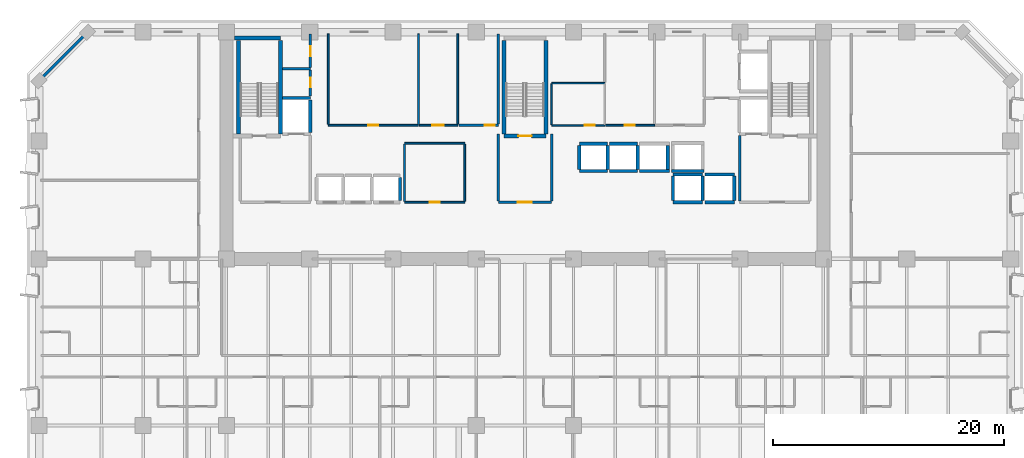
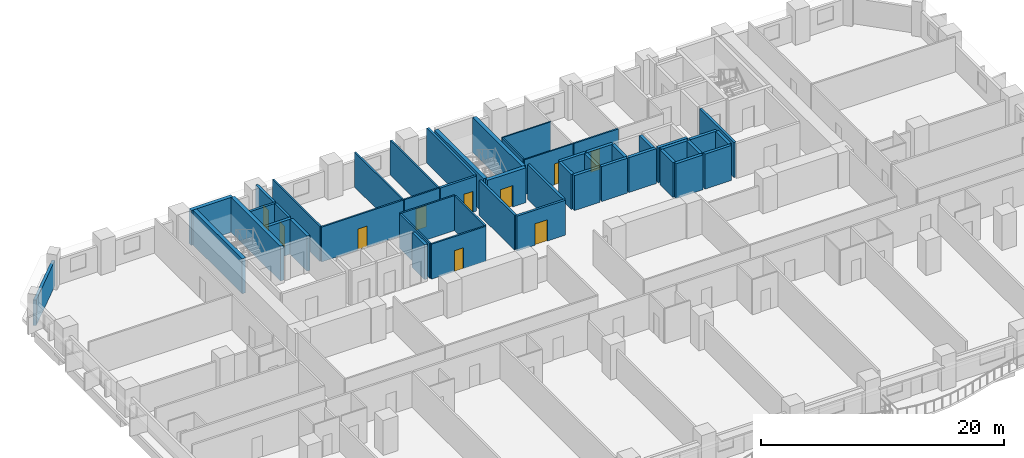
# One storey, part 7 of 15: 49 walls, 10 doors, 10 openings.
"""IFC4 building model written with IfcOpenShell, lengths in metres."""

from ifc_helpers import new_model, si_unit, direction, frame, frame_2d, origin, place, context, subcontext, project, spatial, rectangle, extrude, material, layer, layer_set, type_object, element, fill, save


model = new_model("IFC4")

# Units and contexts
model_context = context("Model", 3, precision=1e-05, world=origin(), true_north=direction((0.0, 1.0)))
body_context = subcontext(model_context, "Body", "Model", "MODEL_VIEW")
ifc_project = project(units=[si_unit("LENGTHUNIT", "METRE"), si_unit("AREAUNIT", "SQUARE_METRE"), si_unit("VOLUMEUNIT", "CUBIC_METRE"), si_unit("PLANEANGLEUNIT", "RADIAN"), si_unit("MASSUNIT", "GRAM", prefix="KILO")], contexts=[model_context])

# Site, building, storey
site_placement = place(None, origin())
site = spatial("IfcSite", under=ifc_project, at=site_placement, CompositionType="ELEMENT")
building_placement = place(site_placement, origin())
building = spatial("IfcBuilding", under=site, at=building_placement, Name="Kaelvorn Grand Hotel", CompositionType="ELEMENT")
storey_placement = place(building_placement, frame((0.0, 0.0, 72.64990234375)))
storey = spatial("IfcBuildingStorey", under=building, at=storey_placement, Name="L16", CompositionType="ELEMENT", Elevation=72.64990234375)

# Wall
ifc_material_1 = material(Name="Concrete C40/50", Category="concrete")
ifc_layer_1 = layer(ifc_material_1, 0.260009765625)
ifc_layer_set_1 = layer_set([ifc_layer_1], Name="Concrete C40/50")
wall_type_1 = type_object("IfcWallType", Name="WL-EXT-260-C40", PredefinedType="SOLIDWALL", material=ifc_layer_set_1)
wall_1_placement = place(storey_placement, frame((4.199951171875, 49.0, 0.0), z_axis=(0.0, 0.0, 1.0), x_axis=(-0.707106781187, -0.707106781187, 0.0)))
element("IfcWall", 1, at=wall_1_placement, inside=storey, type_object=wall_type_1, Name="L16 Exterior Architectural Concrete Wall 06", PredefinedType="SOLIDWALL", context=body_context, shape_type="SweptSolid", body=[
    extrude(rectangle(XDim=5.939697265625, YDim=0.260009765625, at=frame_2d((2.9697265625, 0.0))), origin(), (0.0, 0.0, 1.0), 2.56005859375),
])

# Wall, opening, door
ifc_material_2 = material(Name="Moisture-Resistant Tile & Stud Board")
ifc_layer_2 = layer(ifc_material_2, 0.125)
ifc_layer_set_2 = layer_set([ifc_layer_2], Name="Moisture-Resistant Tile & Stud Board")
wall_type_2 = type_object("IfcWallType", Name="WL-PART-125-WET", PredefinedType="PARTITIONING", material=ifc_layer_set_2)
wall_2_placement = place(storey_placement, frame((44.300048828125, 40.949951171875, 0.0), z_axis=(0.0, 0.0, 1.0), x_axis=(1.0, 0.0, 0.0)))
wall_2 = element("IfcWall", 2, at=wall_2_placement, inside=storey, type_object=wall_type_2, Name="L16 Accessible WC S Partition", PredefinedType="PARTITIONING", context=body_context, shape_type="SweptSolid", body=[
    extrude(rectangle(XDim=4.599853515625, YDim=0.125, at=frame_2d((2.2998046875, 0.0))), origin(), (0.0, 0.0, 1.0), 3.510009765625),
])
opening_1_placement = place(wall_2_placement, frame((2.85009765625, 0.0, 0.0)))
opening_1 = element("IfcOpeningElement", 3, at=opening_1_placement, cuts=wall_2, Name="Opening DI4", PredefinedType="OPENING", context=body_context, shape_type="SweptSolid", body=[
    extrude(rectangle(XDim=0.89990234375, YDim=2.10009765625, at=frame_2d((0.449951171875, 1.050048828125))), frame((0.0, 0.072509765625, 0.0), z_axis=(0.0, -1.0, 0.0), x_axis=(1.0, 0.0, 0.0)), (0.0, 0.0, 1.0), 0.14501953125),
])
ifc_material_3 = material(Name="Timber Veneer Leaf", Category="wood")
door_type_1 = type_object("IfcDoorType", Name="DR-INT-BATH-900x2100", OperationType="NOTDEFINED", PredefinedType="DOOR", material=ifc_material_3)
door_1_placement = place(opening_1_placement, origin())
door_1 = element("IfcDoor", 4, at=door_1_placement, inside=storey, type_object=door_type_1, Name="L16 Accessible WC Door", OperationType="SINGLE_SWING_RIGHT", OverallHeight=2.10009765625, OverallWidth=0.89990234375, PredefinedType="DOOR", context=body_context, shape_type="SweptSolid", body=[
    extrude(rectangle(XDim=0.89990234375, YDim=2.10009765625, at=frame_2d((0.449951171875, 1.050048828125))), frame((0.0, 0.02490234375, 0.0), z_axis=(0.0, -1.0, 0.0), x_axis=(1.0, 0.0, 0.0)), (0.0, 0.0, 1.0), 0.050048828125),
])
fill(opening_1, door_1)

# Walls
wall_3_placement = place(storey_placement, frame((44.300048828125, 44.60009765625, 0.0), z_axis=(0.0, 0.0, 1.0), x_axis=(1.0, 0.0, 0.0)))
element("IfcWall", 5, at=wall_3_placement, inside=storey, type_object=wall_type_2, Name="L16 Accessible WC N Partition", PredefinedType="PARTITIONING", context=body_context, shape_type="SweptSolid", body=[
    extrude(rectangle(XDim=4.599853515625, YDim=0.125, at=frame_2d((2.2998046875, 0.0))), origin(), (0.0, 0.0, 1.0), 3.510009765625),
])
wall_4_placement = place(storey_placement, frame((44.300048828125, 41.017578125, 0.0), z_axis=(0.0, 0.0, 1.0), x_axis=(0.0, 1.0, 0.0)))
element("IfcWall", 6, at=wall_4_placement, inside=storey, type_object=wall_type_2, Name="L16 Accessible WC W Partition", PredefinedType="PARTITIONING", context=body_context, shape_type="SweptSolid", body=[
    extrude(rectangle(XDim=3.514892578125, YDim=0.125, at=frame_2d((1.75732421875, 0.0))), origin(), (0.0, 0.0, 1.0), 3.510009765625),
])

# Wall, opening, door
ifc_material_4 = material(Name="Acoustic Gypsum & Stud Partition")
ifc_layer_3 = layer(ifc_material_4, 0.14990234375)
ifc_layer_set_3 = layer_set([ifc_layer_3], Name="Acoustic Gypsum & Stud Partition")
wall_type_3 = type_object("IfcWallType", Name="WL-PART-150-EI60", PredefinedType="PARTITIONING", material=ifc_layer_set_3)
wall_5_placement = place(storey_placement, frame((31.60009765625, 34.300048828125, 0.0), z_axis=(0.0, 0.0, 1.0), x_axis=(1.0, 0.0, 0.0)))
wall_5 = element("IfcWall", 7, at=wall_5_placement, inside=storey, type_object=wall_type_3, Name="L16 Core Telecoms & BMS Server Room S Partition", PredefinedType="PARTITIONING", context=body_context, shape_type="SweptSolid", body=[
    extrude(rectangle(XDim=5.199951171875, YDim=0.14990234375, at=frame_2d((2.60009765625, 0.0))), origin(), (0.0, 0.0, 1.0), 3.510009765625),
])
opening_2_placement = place(wall_5_placement, frame((2.175048828125, 0.0, 0.0)))
opening_2 = element("IfcOpeningElement", 8, at=opening_2_placement, cuts=wall_5, Name="Opening DI7", PredefinedType="OPENING", context=body_context, shape_type="SweptSolid", body=[
    extrude(rectangle(XDim=0.85009765625, YDim=2.10009765625, at=frame_2d((0.425048828125, 1.050048828125))), frame((0.0, 0.0849609375, 0.0), z_axis=(0.0, -1.0, 0.0), x_axis=(1.0, 0.0, 0.0)), (0.0, 0.0, 1.0), 0.169921875),
])
ifc_material_5 = material(Name="Powder-Coated Steel Leaf", Category="steel")
door_type_2 = type_object("IfcDoorType", Name="DR-INT-RISER-850x2100", OperationType="NOTDEFINED", PredefinedType="DOOR", material=ifc_material_5)
door_2_placement = place(opening_2_placement, origin())
door_2 = element("IfcDoor", 9, at=door_2_placement, inside=storey, type_object=door_type_2, Name="L16 Core Telecoms & BMS Server Room Door", OperationType="SINGLE_SWING_RIGHT", OverallHeight=2.10009765625, OverallWidth=0.85009765625, PredefinedType="DOOR", context=body_context, shape_type="SweptSolid", body=[
    extrude(rectangle(XDim=0.85009765625, YDim=2.10009765625, at=frame_2d((0.425048828125, 1.050048828125))), frame((0.0, 0.02490234375, 0.0), z_axis=(0.0, -1.0, 0.0), x_axis=(1.0, 0.0, 0.0)), (0.0, 0.0, 1.0), 0.050048828125),
])
fill(opening_2, door_2)

# Walls
wall_6_placement = place(storey_placement, frame((31.60009765625, 39.39990234375, 0.0), z_axis=(0.0, 0.0, 1.0), x_axis=(1.0, 0.0, 0.0)))
element("IfcWall", 10, at=wall_6_placement, inside=storey, type_object=wall_type_3, Name="L16 Core Telecoms & BMS Server Room N Partition", PredefinedType="PARTITIONING", context=body_context, shape_type="SweptSolid", body=[
    extrude(rectangle(XDim=5.199951171875, YDim=0.14990234375, at=frame_2d((2.60009765625, 0.0))), origin(), (0.0, 0.0, 1.0), 3.510009765625),
])
for number, where, z_axis, x_axis, name in (
    (11, (31.60009765625, 34.3798828125, 0.0), (0.0, 0.0, 1.0), (0.0, 1.0, 0.0), "L16 Core Telecoms & BMS Server Room W Partition"),
    (12, (36.800048828125, 34.3798828125, 0.0), (0.0, 0.0, 1.0), (0.0, 1.0, 0.0), "L16 Core Telecoms & BMS Server Room E Partition"),
):
    element("IfcWall", number, at=place(storey_placement, frame(where, z_axis=z_axis, x_axis=x_axis)), inside=storey, type_object=wall_type_3, Name=name, PredefinedType="PARTITIONING", context=body_context, shape_type="SweptSolid", body=[
        extrude(rectangle(XDim=4.940185546875, YDim=0.14990234375, at=frame_2d((2.47021484375, 0.0))), origin(), (0.0, 0.0, 1.0), 3.510009765625),
    ])

# Wall, opening, door
wall_7_placement = place(storey_placement, frame((25.0, 40.949951171875, 0.0), z_axis=(0.0, 0.0, 1.0), x_axis=(1.0, 0.0, 0.0)))
wall_7 = element("IfcWall", 13, at=wall_7_placement, inside=storey, type_object=wall_type_3, Name="L16 Housekeeping & Linen Room S Partition", PredefinedType="PARTITIONING", context=body_context, shape_type="SweptSolid", body=[
    extrude(rectangle(XDim=7.800048828125, YDim=0.14990234375, at=frame_2d((3.89990234375, 0.0))), origin(), (0.0, 0.0, 1.0), 3.510009765625),
])
opening_3_placement = place(wall_7_placement, frame((3.47509765625, 0.0, 0.0)))
opening_3 = element("IfcOpeningElement", 14, at=opening_3_placement, cuts=wall_7, Name="Opening DI7", PredefinedType="OPENING", context=body_context, shape_type="SweptSolid", body=[
    extrude(rectangle(XDim=0.85009765625, YDim=2.10009765625, at=frame_2d((0.425048828125, 1.050048828125))), frame((0.0, 0.0849609375, 0.0), z_axis=(0.0, -1.0, 0.0), x_axis=(1.0, 0.0, 0.0)), (0.0, 0.0, 1.0), 0.169921875),
])
door_3_placement = place(opening_3_placement, origin())
door_3 = element("IfcDoor", 15, at=door_3_placement, inside=storey, type_object=door_type_2, Name="L16 Housekeeping & Linen Room Door", OperationType="SINGLE_SWING_LEFT", OverallHeight=2.10009765625, OverallWidth=0.85009765625, PredefinedType="DOOR", context=body_context, shape_type="SweptSolid", body=[
    extrude(rectangle(XDim=0.85009765625, YDim=2.10009765625, at=frame_2d((0.425048828125, 1.050048828125))), frame((0.0, 0.02490234375, 0.0), z_axis=(0.0, -1.0, 0.0), x_axis=(1.0, 0.0, 0.0)), (0.0, 0.0, 1.0), 0.050048828125),
])
fill(opening_3, door_3)

# Walls
for number, where, z_axis, x_axis, name in (
    (16, (25.0, 41.030029296875, 0.0), (0.0, 0.0, 1.0), (0.0, 1.0, 0.0), "L16 Housekeeping & Linen Room W Partition"),
    (17, (32.800048828125, 41.030029296875, 0.0), (0.0, 0.0, 1.0), (0.0, 1.0, 0.0), "L16 Housekeeping & Linen Room E Partition"),
):
    element("IfcWall", number, at=place(storey_placement, frame(where, z_axis=z_axis, x_axis=x_axis)), inside=storey, type_object=wall_type_3, Name=name, PredefinedType="PARTITIONING", context=body_context, shape_type="SweptSolid", body=[
        extrude(rectangle(XDim=7.820068359375, YDim=0.14990234375, at=frame_2d((3.91015625, 0.0))), origin(), (0.0, 0.0, 1.0), 3.510009765625),
    ])

# Wall, opening, door
wall_8_placement = place(storey_placement, frame((32.8798828125, 40.949951171875, 0.0), z_axis=(0.0, 0.0, 1.0), x_axis=(1.0, 0.0, 0.0)))
wall_8 = element("IfcWall", 18, at=wall_8_placement, inside=storey, type_object=wall_type_3, Name="L16 Floor Butler Tea Point S Partition", PredefinedType="PARTITIONING", context=body_context, shape_type="SweptSolid", body=[
    extrude(rectangle(XDim=3.320068359375, YDim=0.14990234375, at=frame_2d((1.66015625, 0.0))), origin(), (0.0, 0.0, 1.0), 3.510009765625),
])
opening_4_placement = place(wall_8_placement, frame((1.1201171875, 0.0, 0.0)))
opening_4 = element("IfcOpeningElement", 19, at=opening_4_placement, cuts=wall_8, Name="Opening DI3", PredefinedType="OPENING", context=body_context, shape_type="SweptSolid", body=[
    extrude(rectangle(XDim=1.0, YDim=2.14990234375, at=frame_2d((0.5, 1.074951171875))), frame((0.0, 0.0849609375, 0.0), z_axis=(0.0, -1.0, 0.0), x_axis=(1.0, 0.0, 0.0)), (0.0, 0.0, 1.0), 0.169921875),
])
ifc_material_6 = material(Name="Timber Veneer Fire Leaf", Category="wood")
door_type_3 = type_object("IfcDoorType", Name="DR-INT-GUEST-1000x2150", OperationType="NOTDEFINED", PredefinedType="DOOR", material=ifc_material_6)
door_4_placement = place(opening_4_placement, origin())
door_4 = element("IfcDoor", 20, at=door_4_placement, inside=storey, type_object=door_type_3, Name="L16 Floor Butler Tea Point Door", OperationType="SINGLE_SWING_RIGHT", OverallHeight=2.14990234375, OverallWidth=1.0, PredefinedType="DOOR", context=body_context, shape_type="SweptSolid", body=[
    extrude(rectangle(XDim=1.0, YDim=2.14990234375, at=frame_2d((0.5, 1.074951171875))), frame((0.0, 0.02490234375, 0.0), z_axis=(0.0, -1.0, 0.0), x_axis=(1.0, 0.0, 0.0)), (0.0, 0.0, 1.0), 0.050048828125),
])
fill(opening_4, door_4)

# Wall
wall_9_placement = place(storey_placement, frame((36.199951171875, 41.030029296875, 0.0), z_axis=(0.0, 0.0, 1.0), x_axis=(0.0, 1.0, 0.0)))
element("IfcWall", 21, at=wall_9_placement, inside=storey, type_object=wall_type_3, Name="L16 Floor Butler Tea Point E Partition", PredefinedType="PARTITIONING", context=body_context, shape_type="SweptSolid", body=[
    extrude(rectangle(XDim=7.820068359375, YDim=0.14990234375, at=frame_2d((3.91015625, 0.0))), origin(), (0.0, 0.0, 1.0), 3.510009765625),
])

# Wall, opening, door
wall_10_placement = place(storey_placement, frame((48.967529296875, 40.949951171875, 0.0), z_axis=(0.0, 0.0, 1.0), x_axis=(1.0, 0.0, 0.0)))
wall_10 = element("IfcWall", 22, at=wall_10_placement, inside=storey, type_object=wall_type_3, Name="L16 Minibar & Glassware Store S Partition", PredefinedType="PARTITIONING", context=body_context, shape_type="SweptSolid", body=[
    extrude(rectangle(XDim=4.232421875, YDim=0.14990234375, at=frame_2d((2.1162109375, 0.0))), origin(), (0.0, 0.0, 1.0), 3.510009765625),
])
opening_5_placement = place(wall_10_placement, frame((1.657470703125, 0.0, 0.0)))
opening_5 = element("IfcOpeningElement", 23, at=opening_5_placement, cuts=wall_10, Name="Opening DI7", PredefinedType="OPENING", context=body_context, shape_type="SweptSolid", body=[
    extrude(rectangle(XDim=0.85009765625, YDim=2.10009765625, at=frame_2d((0.425048828125, 1.050048828125))), frame((0.0, 0.0849609375, 0.0), z_axis=(0.0, -1.0, 0.0), x_axis=(1.0, 0.0, 0.0)), (0.0, 0.0, 1.0), 0.169921875),
])
door_5_placement = place(opening_5_placement, origin())
door_5 = element("IfcDoor", 24, at=door_5_placement, inside=storey, type_object=door_type_2, Name="L16 Minibar & Glassware Store Door", OperationType="SINGLE_SWING_LEFT", OverallHeight=2.10009765625, OverallWidth=0.85009765625, PredefinedType="DOOR", context=body_context, shape_type="SweptSolid", body=[
    extrude(rectangle(XDim=0.85009765625, YDim=2.10009765625, at=frame_2d((0.425048828125, 1.050048828125))), frame((0.0, 0.02490234375, 0.0), z_axis=(0.0, -1.0, 0.0), x_axis=(1.0, 0.0, 0.0)), (0.0, 0.0, 1.0), 0.050048828125),
])
fill(opening_5, door_5)

# Wall
ifc_layer_4 = layer(ifc_material_1, 0.219970703125)
ifc_layer_set_4 = layer_set([ifc_layer_4], Name="Concrete C40/50")
wall_type_4 = type_object("IfcWallType", Name="WL-PART-220-EI120", PredefinedType="PARTITIONING", material=ifc_layer_set_4)
wall_11_placement = place(storey_placement, frame((60.550048828125, 34.4150390625, 0.0), z_axis=(0.0, 0.0, 1.0), x_axis=(0.0, 1.0, 0.0)))
element("IfcWall", 25, at=wall_11_placement, inside=storey, type_object=wall_type_4, Name="L16 Firefighting Lift Lobby 2 W Partition", PredefinedType="PARTITIONING", context=body_context, shape_type="SweptSolid", body=[
    extrude(rectangle(XDim=5.639892578125, YDim=0.219970703125, at=frame_2d((2.81982421875, 0.0))), origin(), (0.0, 0.0, 1.0), 3.510009765625),
])

# Wall, opening, door
wall_12_placement = place(storey_placement, frame((39.699951171875, 34.300048828125, 0.0), z_axis=(0.0, 0.0, 1.0), x_axis=(1.0, 0.0, 0.0)))
wall_12 = element("IfcWall", 26, at=wall_12_placement, inside=storey, type_object=wall_type_4, Name="L16 Central Stair Escape Vestibule S Partition", PredefinedType="PARTITIONING", context=body_context, shape_type="SweptSolid", body=[
    extrude(rectangle(XDim=4.60009765625, YDim=0.219970703125, at=frame_2d((2.300048828125, 0.0))), origin(), (0.0, 0.0, 1.0), 3.510009765625),
])
opening_6_placement = place(wall_12_placement, frame((1.699951171875, 0.0, 0.0)))
opening_6 = element("IfcOpeningElement", 27, at=opening_6_placement, cuts=wall_12, Name="Opening DI2", PredefinedType="OPENING", context=body_context, shape_type="SweptSolid", body=[
    extrude(rectangle(XDim=1.199951171875, YDim=2.14990234375, at=frame_2d((0.60009765625, 1.074951171875))), frame((0.0, 0.1201171875, 0.0), z_axis=(0.0, -1.0, 0.0), x_axis=(1.0, 0.0, 0.0)), (0.0, 0.0, 1.0), 0.239990234375),
])
door_type_4 = type_object("IfcDoorType", Name="DR-INT-FFLOB-1200x2150", OperationType="NOTDEFINED", PredefinedType="DOOR", material=ifc_material_6)
door_6_placement = place(opening_6_placement, origin())
door_6 = element("IfcDoor", 28, at=door_6_placement, inside=storey, type_object=door_type_4, Name="L16 Central Stair Escape Vestibule Door", OperationType="SINGLE_SWING_RIGHT", OverallHeight=2.14990234375, OverallWidth=1.199951171875, PredefinedType="DOOR", context=body_context, shape_type="SweptSolid", body=[
    extrude(rectangle(XDim=1.199951171875, YDim=2.14990234375, at=frame_2d((0.60009765625, 1.074951171875))), frame((0.0, 0.02490234375, 0.0), z_axis=(0.0, -1.0, 0.0), x_axis=(1.0, 0.0, 0.0)), (0.0, 0.0, 1.0), 0.050048828125),
])
fill(opening_6, door_6)

# Walls
for number, where, z_axis, x_axis, name in (
    (29, (39.699951171875, 34.4150390625, 0.0), (0.0, 0.0, 1.0), (0.0, 1.0, 0.0), "L16 Central Stair Escape Vestibule W Partition"),
    (30, (44.300048828125, 34.4150390625, 0.0), (0.0, 0.0, 1.0), (0.0, 1.0, 0.0), "L16 Central Stair Escape Vestibule E Partition"),
):
    element("IfcWall", number, at=place(storey_placement, frame(where, z_axis=z_axis, x_axis=x_axis)), inside=storey, type_object=wall_type_4, Name=name, PredefinedType="PARTITIONING", context=body_context, shape_type="SweptSolid", body=[
        extrude(rectangle(XDim=5.784912109375, YDim=0.219970703125, at=frame_2d((2.892578125, 0.0))), origin(), (0.0, 0.0, 1.0), 3.510009765625),
    ])
wall_13_placement = place(storey_placement, frame((21.034912109375, 45.85009765625, 0.0), z_axis=(0.0, 0.0, 1.0), x_axis=(1.0, 0.0, 0.0)))
element("IfcWall", 31, at=wall_13_placement, inside=storey, type_object=wall_type_4, Name="L16 Wet Fire & Plumbing Riser Shaft N Partition", PredefinedType="PARTITIONING", context=body_context, shape_type="SweptSolid", body=[
    extrude(rectangle(XDim=2.4150390625, YDim=0.219970703125, at=frame_2d((1.20751953125, 0.0))), origin(), (0.0, 0.0, 1.0), 3.510009765625),
])

# Wall, opening, door
wall_14_placement = place(storey_placement, frame((23.449951171875, 43.5, 0.0), z_axis=(0.0, 0.0, 1.0), x_axis=(0.0, 1.0, 0.0)))
wall_14 = element("IfcWall", 32, at=wall_14_placement, inside=storey, type_object=wall_type_4, Name="L16 Wet Fire & Plumbing Riser Shaft E Partition", PredefinedType="PARTITIONING", context=body_context, shape_type="SweptSolid", body=[
    extrude(rectangle(XDim=2.235107421875, YDim=0.219970703125, at=frame_2d((1.11767578125, 0.0))), origin(), (0.0, 0.0, 1.0), 3.510009765625),
])
opening_7_placement = place(wall_14_placement, frame((0.72509765625, 0.0, 0.0)))
opening_7 = element("IfcOpeningElement", 33, at=opening_7_placement, cuts=wall_14, Name="Opening DI7", PredefinedType="OPENING", context=body_context, shape_type="SweptSolid", body=[
    extrude(rectangle(XDim=0.85009765625, YDim=2.10009765625, at=frame_2d((0.425048828125, 1.050048828125))), frame((0.0, 0.1201171875, 0.0), z_axis=(0.0, -1.0, 0.0), x_axis=(1.0, 0.0, 0.0)), (0.0, 0.0, 1.0), 0.239990234375),
])
door_7_placement = place(opening_7_placement, origin())
door_7 = element("IfcDoor", 34, at=door_7_placement, inside=storey, type_object=door_type_2, Name="L16 Wet Fire & Plumbing Riser Shaft Door", OperationType="SINGLE_SWING_RIGHT", OverallHeight=2.10009765625, OverallWidth=0.85009765625, PredefinedType="DOOR", context=body_context, shape_type="SweptSolid", body=[
    extrude(rectangle(XDim=0.85009765625, YDim=2.10009765625, at=frame_2d((0.425048828125, 1.050048828125))), frame((0.0, 0.02490234375, 0.0), z_axis=(0.0, -1.0, 0.0), x_axis=(1.0, 0.0, 0.0)), (0.0, 0.0, 1.0), 0.050048828125),
])
fill(opening_7, door_7)

wall_15_placement = place(storey_placement, frame((23.449951171875, 45.965087890625, 0.0), z_axis=(0.0, 0.0, 1.0), x_axis=(0.0, 1.0, 0.0)))
wall_15 = element("IfcWall", 35, at=wall_15_placement, inside=storey, type_object=wall_type_4, Name="L16 HV Electrical & Smoke Riser E Partition", PredefinedType="PARTITIONING", context=body_context, shape_type="SweptSolid", body=[
    extrude(rectangle(XDim=2.885009765625, YDim=0.219970703125, at=frame_2d((1.4423828125, 0.0))), origin(), (0.0, 0.0, 1.0), 3.510009765625),
])
opening_8_placement = place(wall_15_placement, frame((0.9599609375, 0.0, 0.0)))
opening_8 = element("IfcOpeningElement", 36, at=opening_8_placement, cuts=wall_15, Name="Opening DI7", PredefinedType="OPENING", context=body_context, shape_type="SweptSolid", body=[
    extrude(rectangle(XDim=0.85009765625, YDim=2.10009765625, at=frame_2d((0.425048828125, 1.050048828125))), frame((0.0, 0.1201171875, 0.0), z_axis=(0.0, -1.0, 0.0), x_axis=(1.0, 0.0, 0.0)), (0.0, 0.0, 1.0), 0.239990234375),
])
door_8_placement = place(opening_8_placement, origin())
door_8 = element("IfcDoor", 37, at=door_8_placement, inside=storey, type_object=door_type_2, Name="L16 HV Electrical & Smoke Riser Door", OperationType="SINGLE_SWING_LEFT", OverallHeight=2.10009765625, OverallWidth=0.85009765625, PredefinedType="DOOR", context=body_context, shape_type="SweptSolid", body=[
    extrude(rectangle(XDim=0.85009765625, YDim=2.10009765625, at=frame_2d((0.425048828125, 1.050048828125))), frame((0.0, 0.02490234375, 0.0), z_axis=(0.0, -1.0, 0.0), x_axis=(1.0, 0.0, 0.0)), (0.0, 0.0, 1.0), 0.050048828125),
])
fill(opening_8, door_8)

wall_16_placement = place(storey_placement, frame((36.280029296875, 40.949951171875, 0.0), z_axis=(0.0, 0.0, 1.0), x_axis=(1.0, 0.0, 0.0)))
wall_16 = element("IfcWall", 38, at=wall_16_placement, inside=storey, type_object=wall_type_4, Name="L16 LV Electrical & Metering Room S Partition", PredefinedType="PARTITIONING", context=body_context, shape_type="SweptSolid", body=[
    extrude(rectangle(XDim=3.419921875, YDim=0.219970703125, at=frame_2d((1.7099609375, 0.0))), origin(), (0.0, 0.0, 1.0), 3.510009765625),
])
opening_9_placement = place(wall_16_placement, frame((2.2451171875, 0.0, 0.0)))
opening_9 = element("IfcOpeningElement", 39, at=opening_9_placement, cuts=wall_16, Name="Opening DI7", PredefinedType="OPENING", context=body_context, shape_type="SweptSolid", body=[
    extrude(rectangle(XDim=0.85009765625, YDim=2.10009765625, at=frame_2d((0.425048828125, 1.050048828125))), frame((0.0, 0.1201171875, 0.0), z_axis=(0.0, -1.0, 0.0), x_axis=(1.0, 0.0, 0.0)), (0.0, 0.0, 1.0), 0.239990234375),
])
door_9_placement = place(opening_9_placement, origin())
door_9 = element("IfcDoor", 40, at=door_9_placement, inside=storey, type_object=door_type_2, Name="L16 LV Electrical & Metering Room Door", OperationType="SINGLE_SWING_LEFT", OverallHeight=2.10009765625, OverallWidth=0.85009765625, PredefinedType="DOOR", context=body_context, shape_type="SweptSolid", body=[
    extrude(rectangle(XDim=0.85009765625, YDim=2.10009765625, at=frame_2d((0.425048828125, 1.050048828125))), frame((0.0, 0.02490234375, 0.0), z_axis=(0.0, -1.0, 0.0), x_axis=(1.0, 0.0, 0.0)), (0.0, 0.0, 1.0), 0.050048828125),
])
fill(opening_9, door_9)

# Walls
wall_17_placement = place(storey_placement, frame((39.699951171875, 41.06494140625, 0.0), z_axis=(0.0, 0.0, 1.0), x_axis=(0.0, 1.0, 0.0)))
element("IfcWall", 41, at=wall_17_placement, inside=storey, type_object=wall_type_4, Name="L16 LV Electrical & Metering Room E Partition", PredefinedType="PARTITIONING", context=body_context, shape_type="SweptSolid", body=[
    extrude(rectangle(XDim=7.78515625, YDim=0.219970703125, at=frame_2d((3.892578125, 0.0))), origin(), (0.0, 0.0, 1.0), 3.510009765625),
])
ifc_material_7 = material(Name="Concrete C50/60", Category="concrete")
ifc_layer_5 = layer(ifc_material_7, 0.280029296875)
ifc_layer_set_5 = layer_set([ifc_layer_5], Name="Concrete C50/60")
wall_type_5 = type_object("IfcWallType", Name="WL-SHAFT-280-C50", PredefinedType="SHEAR", material=ifc_layer_set_5)
wall_18_placement = place(storey_placement, frame((31.199951171875, 34.445068359375, 0.0), z_axis=(0.0, 0.0, 1.0), x_axis=(0.0, 1.0, 0.0)))
element("IfcWall", 42, at=wall_18_placement, inside=storey, type_object=wall_type_5, Name="L16 Lift PL-L3 Shaft East Wall", PredefinedType="SHEAR", context=body_context, shape_type="SweptSolid", body=[
    extrude(rectangle(XDim=2.010009765625, YDim=0.280029296875, at=frame_2d((1.0048828125, 0.0))), origin(), (0.0, 0.0, 1.0), 3.510009765625),
])
for number, where, z_axis, x_axis, name in (
    (43, (46.699951171875, 37.0, 0.0), (0.0, 0.0, 1.0), (1.0, 0.0, 0.0), "L16 Lift SL-1 Shaft South Wall"),
    (44, (46.699951171875, 39.35009765625, 0.0), (0.0, 0.0, 1.0), (1.0, 0.0, 0.0), "L16 Lift SL-1 Shaft North Wall"),
):
    element("IfcWall", number, at=place(storey_placement, frame(where, z_axis=z_axis, x_axis=x_axis)), inside=storey, type_object=wall_type_5, Name=name, PredefinedType="SHEAR", context=body_context, shape_type="SweptSolid", body=[
        extrude(rectangle(XDim=2.449951171875, YDim=0.280029296875, at=frame_2d((1.22509765625, 0.0))), origin(), (0.0, 0.0, 1.0), 3.510009765625),
    ])
for number, where, z_axis, x_axis, name in (
    (45, (46.699951171875, 37.14501953125, 0.0), (0.0, 0.0, 1.0), (0.0, 1.0, 0.0), "L16 Lift SL-1 Shaft West Wall"),
    (46, (49.14990234375, 37.14501953125, 0.0), (0.0, 0.0, 1.0), (0.0, 1.0, 0.0), "L16 Lift SL-1 Shaft East Wall"),
):
    element("IfcWall", number, at=place(storey_placement, frame(where, z_axis=z_axis, x_axis=x_axis)), inside=storey, type_object=wall_type_5, Name=name, PredefinedType="SHEAR", context=body_context, shape_type="SweptSolid", body=[
        extrude(rectangle(XDim=2.06005859375, YDim=0.280029296875, at=frame_2d((1.030029296875, 0.0))), origin(), (0.0, 0.0, 1.0), 3.510009765625),
    ])
for number, where, z_axis, x_axis, name in (
    (47, (49.300048828125, 37.0, 0.0), (0.0, 0.0, 1.0), (1.0, 0.0, 0.0), "L16 Lift SL-2 Shaft South Wall"),
    (48, (49.300048828125, 39.35009765625, 0.0), (0.0, 0.0, 1.0), (1.0, 0.0, 0.0), "L16 Lift SL-2 Shaft North Wall"),
):
    element("IfcWall", number, at=place(storey_placement, frame(where, z_axis=z_axis, x_axis=x_axis)), inside=storey, type_object=wall_type_5, Name=name, PredefinedType="SHEAR", context=body_context, shape_type="SweptSolid", body=[
        extrude(rectangle(XDim=2.449951171875, YDim=0.280029296875, at=frame_2d((1.22509765625, 0.0))), origin(), (0.0, 0.0, 1.0), 3.510009765625),
    ])
wall_19_placement = place(storey_placement, frame((51.75, 37.14501953125, 0.0), z_axis=(0.0, 0.0, 1.0), x_axis=(0.0, 1.0, 0.0)))
element("IfcWall", 49, at=wall_19_placement, inside=storey, type_object=wall_type_5, Name="L16 Lift SL-2 Shaft East Wall", PredefinedType="SHEAR", context=body_context, shape_type="SweptSolid", body=[
    extrude(rectangle(XDim=2.06005859375, YDim=0.280029296875, at=frame_2d((1.030029296875, 0.0))), origin(), (0.0, 0.0, 1.0), 3.510009765625),
])
wall_20_placement = place(storey_placement, frame((51.89990234375, 37.0, 0.0), z_axis=(0.0, 0.0, 1.0), x_axis=(1.0, 0.0, 0.0)))
element("IfcWall", 50, at=wall_20_placement, inside=storey, type_object=wall_type_5, Name="L16 Lift SL-3 Shaft South Wall", PredefinedType="SHEAR", context=body_context, shape_type="SweptSolid", body=[
    extrude(rectangle(XDim=2.590087890625, YDim=0.280029296875, at=frame_2d((1.294921875, 0.0))), origin(), (0.0, 0.0, 1.0), 3.510009765625),
])
wall_21_placement = place(storey_placement, frame((54.35009765625, 37.14501953125, 0.0), z_axis=(0.0, 0.0, 1.0), x_axis=(0.0, 1.0, 0.0)))
element("IfcWall", 51, at=wall_21_placement, inside=storey, type_object=wall_type_5, Name="L16 Lift SL-3 Shaft East Wall", PredefinedType="SHEAR", context=body_context, shape_type="SweptSolid", body=[
    extrude(rectangle(XDim=2.06005859375, YDim=0.280029296875, at=frame_2d((1.030029296875, 0.0))), origin(), (0.0, 0.0, 1.0), 3.510009765625),
])
for number, where, z_axis, x_axis, name in (
    (52, (54.800048828125, 34.300048828125, 0.0), (0.0, 0.0, 1.0), (1.0, 0.0, 0.0), "L16 Lift OL-1 Shaft South Wall"),
    (53, (54.800048828125, 36.699951171875, 0.0), (0.0, 0.0, 1.0), (1.0, 0.0, 0.0), "L16 Lift OL-1 Shaft North Wall"),
):
    element("IfcWall", number, at=place(storey_placement, frame(where, z_axis=z_axis, x_axis=x_axis)), inside=storey, type_object=wall_type_5, Name=name, PredefinedType="SHEAR", context=body_context, shape_type="SweptSolid", body=[
        extrude(rectangle(XDim=2.550048828125, YDim=0.280029296875, at=frame_2d((1.27490234375, 0.0))), origin(), (0.0, 0.0, 1.0), 3.510009765625),
    ])
for number, where, z_axis, x_axis, name in (
    (54, (54.800048828125, 34.445068359375, 0.0), (0.0, 0.0, 1.0), (0.0, 1.0, 0.0), "L16 Lift OL-1 Shaft West Wall"),
    (55, (57.35009765625, 34.445068359375, 0.0), (0.0, 0.0, 1.0), (0.0, 1.0, 0.0), "L16 Lift OL-1 Shaft East Wall"),
):
    element("IfcWall", number, at=place(storey_placement, frame(where, z_axis=z_axis, x_axis=x_axis)), inside=storey, type_object=wall_type_5, Name=name, PredefinedType="SHEAR", context=body_context, shape_type="SweptSolid", body=[
        extrude(rectangle(XDim=2.10986328125, YDim=0.280029296875, at=frame_2d((1.054931640625, 0.0))), origin(), (0.0, 0.0, 1.0), 3.510009765625),
    ])
for number, where, z_axis, x_axis, name in (
    (56, (57.550048828125, 34.300048828125, 0.0), (0.0, 0.0, 1.0), (1.0, 0.0, 0.0), "L16 Lift OL-2 Shaft South Wall"),
    (57, (57.550048828125, 36.699951171875, 0.0), (0.0, 0.0, 1.0), (1.0, 0.0, 0.0), "L16 Lift OL-2 Shaft North Wall"),
):
    element("IfcWall", number, at=place(storey_placement, frame(where, z_axis=z_axis, x_axis=x_axis)), inside=storey, type_object=wall_type_5, Name=name, PredefinedType="SHEAR", context=body_context, shape_type="SweptSolid", body=[
        extrude(rectangle(XDim=2.550048828125, YDim=0.280029296875, at=frame_2d((1.27490234375, 0.0))), origin(), (0.0, 0.0, 1.0), 3.510009765625),
    ])
wall_22_placement = place(storey_placement, frame((60.10009765625, 34.445068359375, 0.0), z_axis=(0.0, 0.0, 1.0), x_axis=(0.0, 1.0, 0.0)))
element("IfcWall", 58, at=wall_22_placement, inside=storey, type_object=wall_type_5, Name="L16 Lift OL-2 Shaft East Wall", PredefinedType="SHEAR", context=body_context, shape_type="SweptSolid", body=[
    extrude(rectangle(XDim=2.10986328125, YDim=0.280029296875, at=frame_2d((1.054931640625, 0.0))), origin(), (0.0, 0.0, 1.0), 3.510009765625),
])
wall_23_placement = place(storey_placement, frame((54.659912109375, 37.0, 0.0), z_axis=(0.0, 0.0, 1.0), x_axis=(1.0, 0.0, 0.0)))
element("IfcWall", 59, at=wall_23_placement, inside=storey, type_object=wall_type_5, Name="L16 Lift OL-3 Shaft South Wall", PredefinedType="SHEAR", context=body_context, shape_type="SweptSolid", body=[
    extrude(rectangle(XDim=2.830078125, YDim=0.280029296875, at=frame_2d((1.4150390625, 0.0))), origin(), (0.0, 0.0, 1.0), 3.510009765625),
])
wall_24_placement = place(storey_placement, frame((21.034912109375, 43.300048828125, 0.0), z_axis=(0.0, 0.0, 1.0), x_axis=(1.0, 0.0, 0.0)))
element("IfcWall", 60, at=wall_24_placement, inside=storey, type_object=wall_type_5, Name="L16 Lift FFL1 Shaft North Wall", PredefinedType="SHEAR", context=body_context, shape_type="SweptSolid", body=[
    extrude(rectangle(XDim=2.4150390625, YDim=0.280029296875, at=frame_2d((1.20751953125, 0.0))), origin(), (0.0, 0.0, 1.0), 3.510009765625),
])
wall_25_placement = place(storey_placement, frame((23.449951171875, 40.344970703125, 0.0), z_axis=(0.0, 0.0, 1.0), x_axis=(0.0, 1.0, 0.0)))
element("IfcWall", 61, at=wall_25_placement, inside=storey, type_object=wall_type_5, Name="L16 Lift FFL1 Shaft East Wall", PredefinedType="SHEAR", context=body_context, shape_type="SweptSolid", body=[
    extrude(rectangle(XDim=2.81005859375, YDim=0.280029296875, at=frame_2d((1.405029296875, 0.0))), origin(), (0.0, 0.0, 1.0), 3.510009765625),
])
ifc_material_8 = material(Name="Concrete C60/75", Category="concrete")
ifc_layer_6 = layer(ifc_material_8, 0.35009765625)
ifc_layer_set_6 = layer_set([ifc_layer_6], Name="Concrete C60/75")
wall_type_6 = type_object("IfcWallType", Name="WL-SHAFT-350-C60", PredefinedType="SHEAR", material=ifc_layer_set_6)
wall_26_placement = place(storey_placement, frame((16.905029296875, 48.47509765625, 0.0), z_axis=(0.0, 0.0, 1.0), x_axis=(1.0, 0.0, 0.0)))
element("IfcWall", 62, at=wall_26_placement, inside=storey, type_object=wall_type_6, Name="L16 ST1 Stair Shaft North Wall", PredefinedType="SHEAR", context=body_context, shape_type="SweptSolid", body=[
    extrude(rectangle(XDim=3.949951171875, YDim=0.35009765625, at=frame_2d((1.97509765625, 0.0))), origin(), (0.0, 0.0, 1.0), 3.510009765625),
])
for number, where, z_axis, x_axis, name in (
    (63, (17.22509765625, 40.205078125, 0.0), (0.0, 0.0, 1.0), (0.0, 1.0, 0.0), "L16 ST1 Stair Shaft West Wall"),
    (64, (20.85498046875, 40.205078125, 0.0), (0.0, 0.0, 1.0), (0.0, 1.0, 0.0), "L16 ST1 Stair Shaft East Wall"),
):
    element("IfcWall", number, at=place(storey_placement, frame(where, z_axis=z_axis, x_axis=x_axis)), inside=storey, type_object=wall_type_6, Name=name, PredefinedType="SHEAR", context=body_context, shape_type="SweptSolid", body=[
        extrude(rectangle(XDim=8.08984375, YDim=0.35009765625, at=frame_2d((4.044921875, 0.0))), origin(), (0.0, 0.0, 1.0), 3.510009765625),
    ])

# Wall, opening, door
wall_27_placement = place(storey_placement, frame((40.18505859375, 40.02490234375, 0.0), z_axis=(0.0, 0.0, 1.0), x_axis=(1.0, 0.0, 0.0)))
wall_27 = element("IfcWall", 65, at=wall_27_placement, inside=storey, type_object=wall_type_6, Name="L16 ST2 Stair Shaft South Wall", PredefinedType="SHEAR", context=body_context, shape_type="SweptSolid", body=[
    extrude(rectangle(XDim=3.6298828125, YDim=0.35009765625, at=frame_2d((1.81494140625, 0.0))), origin(), (0.0, 0.0, 1.0), 3.510009765625),
])
opening_10_placement = place(wall_27_placement, frame((1.239990234375, 0.0, 0.0)))
opening_10 = element("IfcOpeningElement", 66, at=opening_10_placement, cuts=wall_27, Name="Opening DI1", PredefinedType="OPENING", context=body_context, shape_type="SweptSolid", body=[
    extrude(rectangle(XDim=1.14990234375, YDim=2.14990234375, at=frame_2d((0.574951171875, 1.074951171875))), frame((0.0, 0.18505859375, 0.0), z_axis=(0.0, -1.0, 0.0), x_axis=(1.0, 0.0, 0.0)), (0.0, 0.0, 1.0), 0.3701171875),
])
door_type_5 = type_object("IfcDoorType", Name="DR-INT-STAIR-1150x2150", OperationType="NOTDEFINED", PredefinedType="DOOR", material=ifc_material_6)
door_10_placement = place(opening_10_placement, origin())
door_10 = element("IfcDoor", 67, at=door_10_placement, inside=storey, type_object=door_type_5, Name="L16 ST2 Exit Stair Fire Door", OperationType="SINGLE_SWING_RIGHT", OverallHeight=2.14990234375, OverallWidth=1.14990234375, PredefinedType="DOOR", context=body_context, shape_type="SweptSolid", body=[
    extrude(rectangle(XDim=1.14990234375, YDim=2.14990234375, at=frame_2d((0.574951171875, 1.074951171875))), frame((0.0, 0.02490234375, 0.0), z_axis=(0.0, -1.0, 0.0), x_axis=(1.0, 0.0, 0.0)), (0.0, 0.0, 1.0), 0.050048828125),
])
fill(opening_10, door_10)

# Walls
for number, where, z_axis, x_axis, name in (
    (68, (40.18505859375, 40.205078125, 0.0), (0.0, 0.0, 1.0), (0.0, 1.0, 0.0), "L16 ST2 Stair Shaft West Wall"),
    (69, (43.81494140625, 40.205078125, 0.0), (0.0, 0.0, 1.0), (0.0, 1.0, 0.0), "L16 ST2 Stair Shaft East Wall"),
):
    element("IfcWall", number, at=place(storey_placement, frame(where, z_axis=z_axis, x_axis=x_axis)), inside=storey, type_object=wall_type_6, Name=name, PredefinedType="SHEAR", context=body_context, shape_type="SweptSolid", body=[
        extrude(rectangle(XDim=8.08984375, YDim=0.35009765625, at=frame_2d((4.044921875, 0.0))), origin(), (0.0, 0.0, 1.0), 3.510009765625),
    ])

save(model, "model.ifc")
